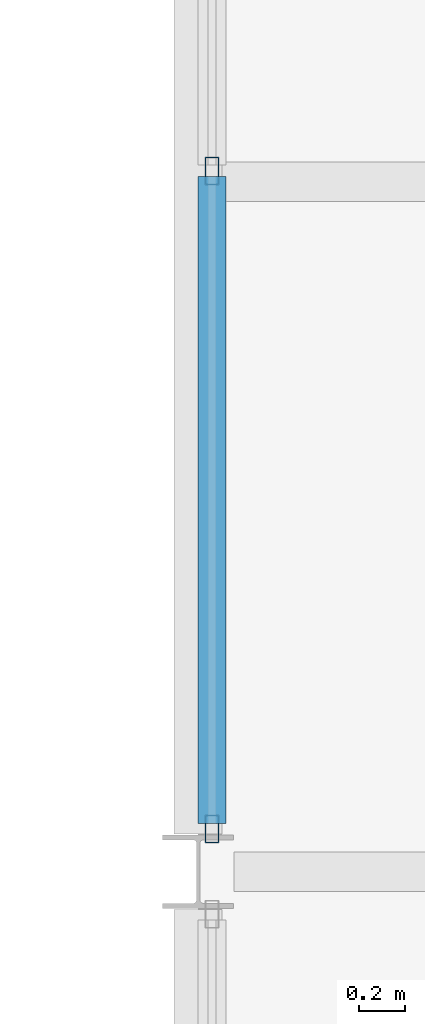
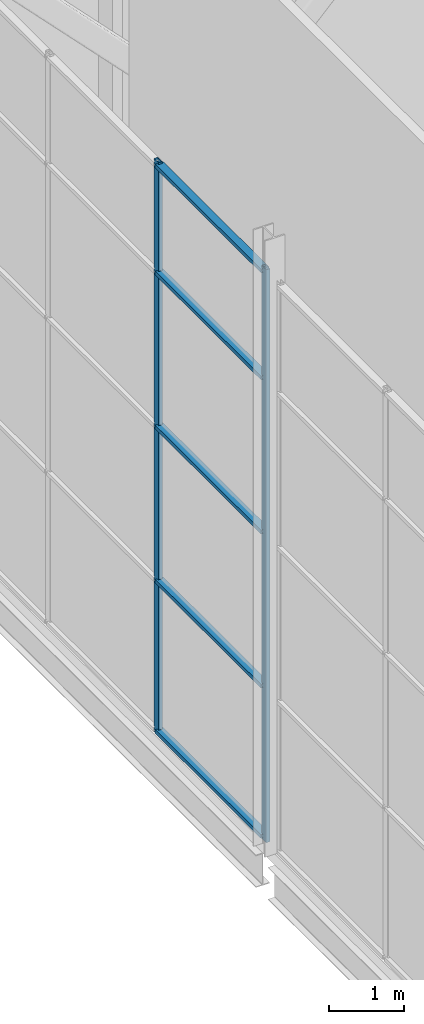
# One storey, part 56 of 111: 7 members, 1 element without a shape of its own.
"""IFC4 building model written with IfcOpenShell, lengths in metres."""

from ifc_helpers import new_model, si_unit, direction, frame, origin, origin_2d, place, context, subcontext, project, spatial, hollow_rectangle, extrude, material, layer, layer_set, material_profile, profile_set, type_object, element, aggregate, save


model = new_model("IFC4")

# Units and contexts
model_context = context("Model", 3, precision=1e-05, world=origin(), true_north=direction((0.0, 1.0)))
body_context = subcontext(model_context, "Body", "Model", "MODEL_VIEW")
ifc_project = project(units=[si_unit("LENGTHUNIT", "METRE"), si_unit("AREAUNIT", "SQUARE_METRE"), si_unit("VOLUMEUNIT", "CUBIC_METRE"), si_unit("PLANEANGLEUNIT", "RADIAN"), si_unit("MASSUNIT", "GRAM", prefix="KILO")], contexts=[model_context])

# Site, building, storey
site_placement = place(None, origin())
site = spatial("IfcSite", under=ifc_project, at=site_placement, CompositionType="ELEMENT")
building_placement = place(site_placement, origin())
building = spatial("IfcBuilding", under=site, at=building_placement, Name="Shorebreak Coast Museum", CompositionType="ELEMENT")
storey_placement = place(building_placement, frame((0.0, 0.0, 16.0)))
storey = spatial("IfcBuildingStorey", under=building, at=storey_placement, Name="L03", CompositionType="ELEMENT", Elevation=16.0)

# Curtain wall, members
ifc_material_1 = material(Name="Aluminium", Category="aluminium")
ifc_layer = layer(ifc_material_1, 0.1201171875)
ifc_layer_set = layer_set([ifc_layer], Name="Aluminium")
curtain_wall_type = type_object("IfcCurtainWallType", Name="Atrium fire screen", PredefinedType="NOTDEFINED", material=ifc_layer_set)
curtain_wall_placement = place(storey_placement, origin())
curtain_wall = element("IfcCurtainWall", 1, at=curtain_wall_placement, inside=storey, type_object=curtain_wall_type, Name="Atrium screen L03 E 48", PredefinedType="NOTDEFINED")
ifc_material_2 = material(Name="Aluminium", Category="aluminium")
ifc_material_profile_1 = material_profile(ifc_material_2, hollow_rectangle(XDim=0.06005859375, YDim=0.1201171875, WallThickness=0.00341796875, at=origin_2d()), Name="AL 120x60 RHS")
ifc_profile_set_1 = profile_set([ifc_material_profile_1], Name="Aluminium")
member_type_1 = type_object("IfcMemberType", Name="Screen mullion 50 x 120", PredefinedType="MULLION", material=ifc_profile_set_1)
member_1_placement = place(storey_placement, frame((108.06005859375, 72.185302734375, 0.0), z_axis=(0.0, 0.0, 1.0), x_axis=(-1.0, 0.0, 0.0)))
member_1 = element("IfcMember", 2, at=member_1_placement, type_object=member_type_1, Name="CW4 mullion 1", PredefinedType="MULLION", context=body_context, shape_type="SweptSolid", body=[
    extrude(hollow_rectangle(XDim=0.06005859375, YDim=0.1201171875, WallThickness=0.00341796875, at=origin_2d()), origin(), (0.0, 0.0, 1.0), 9.296875),
])
member_2_placement = place(storey_placement, frame((108.06005859375, 75.04736328125, 0.0), z_axis=(0.0, 0.0, 1.0), x_axis=(-1.0, 0.0, 0.0)))
member_2 = element("IfcMember", 3, at=member_2_placement, type_object=member_type_1, Name="CW4 mullion 2", PredefinedType="MULLION", context=body_context, shape_type="SweptSolid", body=[
    extrude(hollow_rectangle(XDim=0.06005859375, YDim=0.1201171875, WallThickness=0.00341796875, at=origin_2d()), origin(), (0.0, 0.0, 1.0), 9.296875),
])
ifc_material_3 = material(Name="Aluminium", Category="aluminium")
ifc_material_profile_2 = material_profile(ifc_material_3, hollow_rectangle(XDim=0.1201171875, YDim=0.06005859375, WallThickness=0.00341796875, at=origin_2d()), Name="AL 60x120 RHS")
ifc_profile_set_2 = profile_set([ifc_material_profile_2], Name="Aluminium")
member_type_2 = type_object("IfcMemberType", Name="Screen transom 120 x 50", PredefinedType="USERDEFINED", material=ifc_profile_set_2)
member_3_placement = place(storey_placement, frame((108.06005859375, 72.210205078125, 0.06005859375), z_axis=(0.0, 1.0, 0.0), x_axis=(-1.0, 0.0, 0.0)))
member_3 = element("IfcMember", 4, at=member_3_placement, type_object=member_type_2, Name="CW4 transom 1.1", ObjectType="TRANSOM", PredefinedType="USERDEFINED", context=body_context, shape_type="SweptSolid", body=[
    extrude(hollow_rectangle(XDim=0.1201171875, YDim=0.06005859375, WallThickness=0.00341796875, at=origin_2d()), origin(), (0.0, 0.0, 1.0), 2.812255859375),
])
member_4_placement = place(storey_placement, frame((108.06005859375, 72.210205078125, 2.5), z_axis=(0.0, 1.0, 0.0), x_axis=(-1.0, 0.0, 0.0)))
member_4 = element("IfcMember", 5, at=member_4_placement, type_object=member_type_2, Name="CW4 transom 1.2", ObjectType="TRANSOM", PredefinedType="USERDEFINED", context=body_context, shape_type="SweptSolid", body=[
    extrude(hollow_rectangle(XDim=0.1201171875, YDim=0.06005859375, WallThickness=0.00341796875, at=origin_2d()), origin(), (0.0, 0.0, 1.0), 2.812255859375),
])
member_5_placement = place(storey_placement, frame((108.06005859375, 72.210205078125, 5.0), z_axis=(0.0, 1.0, 0.0), x_axis=(-1.0, 0.0, 0.0)))
member_5 = element("IfcMember", 6, at=member_5_placement, type_object=member_type_2, Name="CW4 transom 1.3", ObjectType="TRANSOM", PredefinedType="USERDEFINED", context=body_context, shape_type="SweptSolid", body=[
    extrude(hollow_rectangle(XDim=0.1201171875, YDim=0.06005859375, WallThickness=0.00341796875, at=origin_2d()), origin(), (0.0, 0.0, 1.0), 2.812255859375),
])
member_6_placement = place(storey_placement, frame((108.06005859375, 72.210205078125, 7.5), z_axis=(0.0, 1.0, 0.0), x_axis=(-1.0, 0.0, 0.0)))
member_6 = element("IfcMember", 7, at=member_6_placement, type_object=member_type_2, Name="CW4 transom 1.4", ObjectType="TRANSOM", PredefinedType="USERDEFINED", context=body_context, shape_type="SweptSolid", body=[
    extrude(hollow_rectangle(XDim=0.1201171875, YDim=0.06005859375, WallThickness=0.00341796875, at=origin_2d()), origin(), (0.0, 0.0, 1.0), 2.812255859375),
])
member_7_placement = place(storey_placement, frame((108.06005859375, 72.210205078125, 9.23681640625), z_axis=(0.0, 1.0, 0.0), x_axis=(-1.0, 0.0, 0.0)))
member_7 = element("IfcMember", 8, at=member_7_placement, type_object=member_type_2, Name="CW4 transom 1.5", ObjectType="TRANSOM", PredefinedType="USERDEFINED", context=body_context, shape_type="SweptSolid", body=[
    extrude(hollow_rectangle(XDim=0.1201171875, YDim=0.06005859375, WallThickness=0.00341796875, at=origin_2d()), origin(), (0.0, 0.0, 1.0), 2.812255859375),
])
aggregate(curtain_wall, [member_1, member_2, member_3, member_4, member_5, member_6, member_7])

save(model, "model.ifc")
